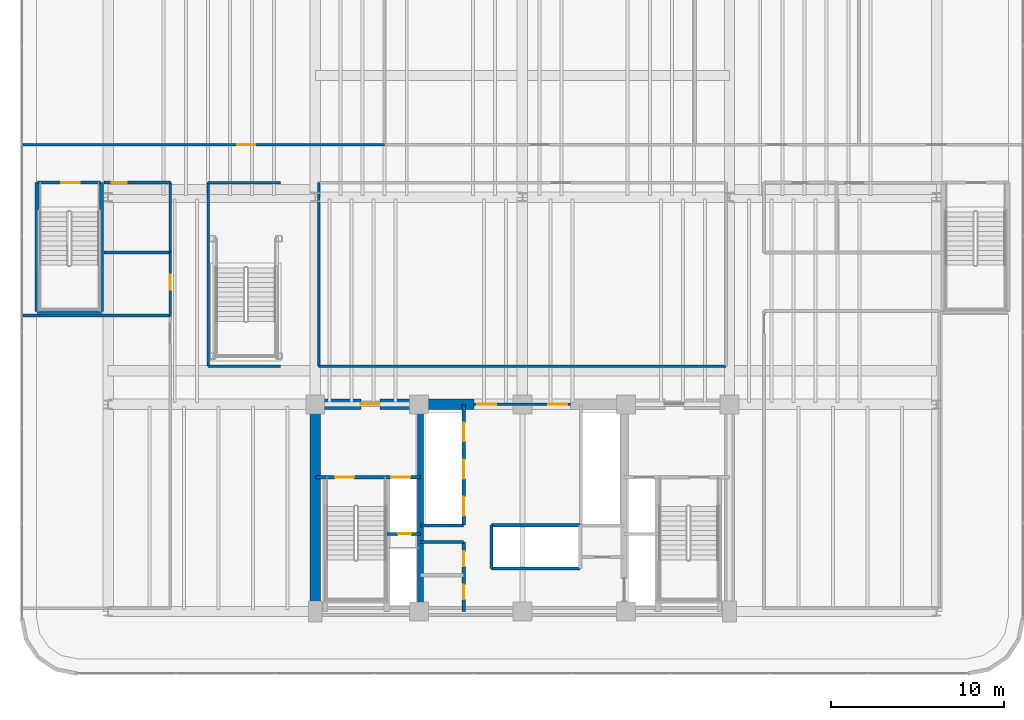
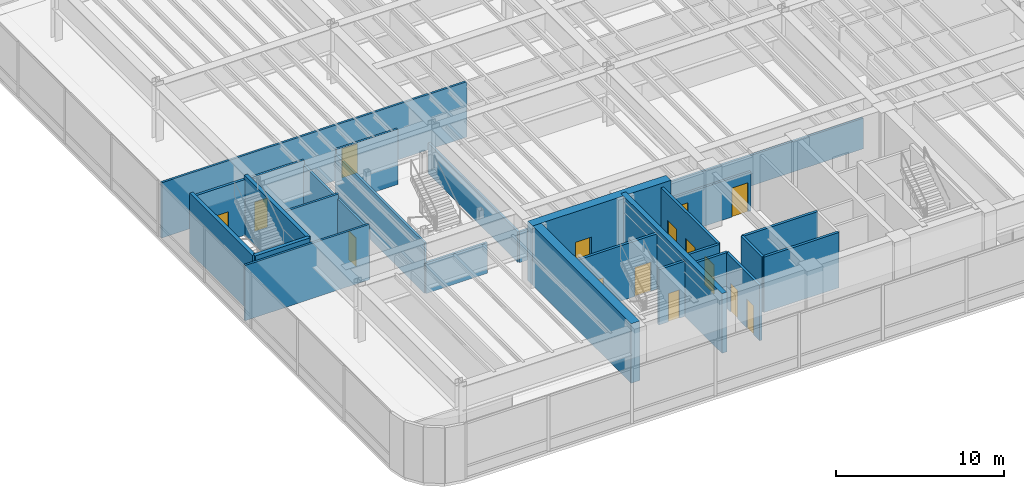
# One storey, part 13 of 19: 28 walls, 15 doors, 15 openings.
"""IFC4 building model written with IfcOpenShell, lengths in metres."""

from ifc_helpers import new_model, si_unit, direction, frame, frame_2d, origin, origin_2d, place, context, subcontext, project, spatial, rectangle, extrude, source, transform, mapped, material, layer, layer_set, type_object, element, fill, save


model = new_model("IFC4")

# Units and contexts
model_context = context("Model", 3, precision=1e-05, world=origin(), true_north=direction((0.0, 1.0)))
body_context = subcontext(model_context, "Body", "Model", "MODEL_VIEW")
ifc_project = project(units=[si_unit("LENGTHUNIT", "METRE"), si_unit("AREAUNIT", "SQUARE_METRE"), si_unit("VOLUMEUNIT", "CUBIC_METRE"), si_unit("PLANEANGLEUNIT", "RADIAN"), si_unit("MASSUNIT", "GRAM", prefix="KILO")], contexts=[model_context])

# Site, building, storey
site_placement = place(None, origin())
site = spatial("IfcSite", under=ifc_project, at=site_placement, CompositionType="ELEMENT")
building_placement = place(site_placement, origin())
building = spatial("IfcBuilding", under=site, at=building_placement, Name="Brelvock Crest Care Tower", CompositionType="ELEMENT")
storey_placement = place(building_placement, frame((0.0, 0.0, 18.360107421875)))
storey = spatial("IfcBuildingStorey", under=building, at=storey_placement, Name="L04", CompositionType="ELEMENT", Elevation=18.360107421875)

# Wall
ifc_material_1 = material(Name="Concrete S80 (80 MPa)", Category="concrete")
ifc_layer_1 = layer(ifc_material_1, 0.60009765625, Name="WL-CS1")
ifc_layer_set_1 = layer_set([ifc_layer_1], Name="Concrete S80 (80 MPa)")
wall_type_1 = type_object("IfcWallType", Name="WL-CS1", PredefinedType="SHEAR", material=ifc_layer_set_1)
wall_1_placement = place(storey_placement, frame((24.0, 6.0, 0.0), z_axis=(0.0, 0.0, 1.0), x_axis=(0.0, 1.0, 0.0)))
element("IfcWall", 1, at=wall_1_placement, inside=storey, type_object=wall_type_1, Name="L04 Core West Shear Wall", PredefinedType="SHEAR", context=body_context, shape_type="SweptSolid", body=[
    extrude(rectangle(XDim=12.0, YDim=0.60009765625, at=frame_2d((6.0, 0.0))), origin(), (0.0, 0.0, 1.0), 4.31982421875),
])

# Wall, opening, door
wall_2_placement = place(storey_placement, frame((23.699951171875, 18.0, 0.0), z_axis=(0.0, 0.0, 1.0), x_axis=(1.0, 0.0, 0.0)))
wall_2 = element("IfcWall", 2, at=wall_2_placement, inside=storey, type_object=wall_type_1, Name="L04 Core North-West Shear Wall", PredefinedType="SHEAR", context=body_context, shape_type="SweptSolid", body=[
    extrude(rectangle(XDim=9.5, YDim=0.60009765625, at=frame_2d((4.75, 0.0))), origin(), (0.0, 0.0, 1.0), 4.31982421875),
])
opening_1_placement = place(wall_2_placement, frame((2.949951171875, 0.0, 0.0)))
opening_1 = element("IfcOpeningElement", 3, at=opening_1_placement, cuts=wall_2, Name="Opening FD-1", PredefinedType="OPENING", context=body_context, shape_type="SweptSolid", body=[
    extrude(rectangle(XDim=1.10009765625, YDim=2.10009765625, at=origin_2d()), frame((0.550048828125, 0.31005859375, 1.050048828125), z_axis=(0.0, -1.0, 0.0), x_axis=(1.0, 0.0, 0.0)), (0.0, 0.0, 1.0), 0.6201171875),
])
ifc_material_2 = material(Name="Steel Grade 350", Category="steel")
door_type_1 = type_object("IfcDoorType", Name="DR-FFL1", OperationType="NOTDEFINED", PredefinedType="DOOR", material=ifc_material_2)
shared_shape_1 = source(origin(), body_context, "Body", "SweptSolid", [
    extrude(rectangle(XDim=1.10009765625, YDim=2.10009765625, at=origin_2d()), frame((0.550048828125, 0.02490234375, 1.050048828125), z_axis=(0.0, -1.0, 0.0), x_axis=(1.0, 0.0, 0.0)), (0.0, 0.0, 1.0), 0.050048828125),
])
door_1_placement = place(opening_1_placement, origin())
door_1 = element("IfcDoor", 4, at=door_1_placement, inside=storey, type_object=door_type_1, Name="L04 Firefighting Lobby FFL-1 Exit Door", OperationType="SINGLE_SWING_LEFT", OverallHeight=2.10009765625, OverallWidth=1.10009765625, PredefinedType="DOOR", context=body_context, shape_type="MappedRepresentation", body=[
    mapped(shared_shape_1, transform((0.0, 0.0, 0.0), x_axis=(1.0, 0.0, 0.0), y_axis=(0.0, 1.0, 0.0), z_axis=(0.0, 0.0, 1.0), scale=1.0)),
])
fill(opening_1, door_1)

# Walls
ifc_layer_2 = layer(ifc_material_1, 0.35009765625, Name="WL-CS5")
ifc_layer_set_2 = layer_set([ifc_layer_2], Name="Concrete S80 (80 MPa)")
wall_type_2 = type_object("IfcWallType", Name="WL-CS5", PredefinedType="SHEAR", material=ifc_layer_set_2)
wall_3_placement = place(storey_placement, frame((30.10009765625, 6.0, 0.0), z_axis=(0.0, 0.0, 1.0), x_axis=(0.0, 1.0, 0.0)))
element("IfcWall", 5, at=wall_3_placement, inside=storey, type_object=wall_type_2, Name="L04 Core Internal Web Wall West", PredefinedType="SHEAR", context=body_context, shape_type="SweptSolid", body=[
    extrude(rectangle(XDim=12.0, YDim=0.35009765625, at=frame_2d((6.0, 0.0))), origin(), (0.0, 0.0, 1.0), 4.31982421875),
])
ifc_layer_3 = layer(ifc_material_1, 0.25, Name="WL-CS6")
ifc_layer_set_3 = layer_set([ifc_layer_3], Name="Concrete S80 (80 MPa)")
wall_type_3 = type_object("IfcWallType", Name="WL-CS6", PredefinedType="SHEAR", material=ifc_layer_set_3)
wall_4_placement = place(storey_placement, frame((7.8798828125, 23.3798828125, 0.0), z_axis=(0.0, 0.0, 1.0), x_axis=(1.0, 0.0, 0.0)))
element("IfcWall", 6, at=wall_4_placement, inside=storey, type_object=wall_type_3, Name="L04 Podium Stair ST-3 South Shear Wall", PredefinedType="SHEAR", context=body_context, shape_type="SweptSolid", body=[
    extrude(rectangle(XDim=3.740234375, YDim=0.25, at=frame_2d((1.8701171875, 0.0))), origin(), (0.0, 0.0, 1.0), 4.31982421875),
])
for number, where, z_axis, x_axis, name in (
    (7, (7.8798828125, 23.3798828125, 0.0), (0.0, 0.0, 1.0), (0.0, 1.0, 0.0), "L04 Podium Stair ST-3 West Shear Wall"),
    (8, (11.6201171875, 23.3798828125, 0.0), (0.0, 0.0, 1.0), (0.0, 1.0, 0.0), "L04 Podium Stair ST-3 East Shear Wall"),
):
    element("IfcWall", number, at=place(storey_placement, frame(where, z_axis=z_axis, x_axis=x_axis)), inside=storey, type_object=wall_type_3, Name=name, PredefinedType="SHEAR", context=body_context, shape_type="SweptSolid", body=[
        extrude(rectangle(XDim=7.47021484375, YDim=0.25, at=frame_2d((3.735107421875, 0.0))), origin(), (0.0, 0.0, 1.0), 4.31982421875),
    ])

# Wall, openings, doors
ifc_material_3 = material(Name="Masonry Blockwork Acoustic Partition", Category="masonry")
ifc_layer_4 = layer(ifc_material_3, 0.14990234375, Name="WL-INT1")
ifc_layer_set_4 = layer_set([ifc_layer_4], Name="Masonry Blockwork Acoustic Partition")
wall_type_4 = type_object("IfcWallType", Name="WL-INT1", PredefinedType="PARTITIONING", material=ifc_layer_set_4)
wall_5_placement = place(storey_placement, frame((33.199951171875, 18.0, 0.0), z_axis=(0.0, 0.0, 1.0), x_axis=(1.0, 0.0, 0.0)))
wall_5 = element("IfcWall", 9, at=wall_5_placement, inside=storey, type_object=wall_type_4, Name="L04 Interior Wall WL-CORE-NPORT-L04", PredefinedType="PARTITIONING", context=body_context, shape_type="SweptSolid", body=[
    extrude(rectangle(XDim=5.60009765625, YDim=0.14990234375, at=frame_2d((2.800048828125, 0.0))), origin(), (0.0, 0.0, 1.0), 2.824951171875),
])
opening_2_placement = place(wall_5_placement, frame((0.18994140625, 0.0, 0.0)))
opening_2 = element("IfcOpeningElement", 10, at=opening_2_placement, cuts=wall_5, Name="Opening FD-1", PredefinedType="OPENING", context=body_context, shape_type="SweptSolid", body=[
    extrude(rectangle(XDim=1.10009765625, YDim=2.10009765625, at=origin_2d()), frame((0.550048828125, 0.0849609375, 1.050048828125), z_axis=(0.0, -1.0, 0.0), x_axis=(1.0, 0.0, 0.0)), (0.0, 0.0, 1.0), 0.169921875),
])
opening_3_placement = place(wall_5_placement, frame((4.31005859375, 0.0, 0.0)))
opening_3 = element("IfcOpeningElement", 11, at=opening_3_placement, cuts=wall_5, Name="Opening FD-1", PredefinedType="OPENING", context=body_context, shape_type="SweptSolid", body=[
    extrude(rectangle(XDim=1.10009765625, YDim=2.10009765625, at=origin_2d()), frame((0.550048828125, 0.0849609375, 1.050048828125), z_axis=(0.0, -1.0, 0.0), x_axis=(1.0, 0.0, 0.0)), (0.0, 0.0, 1.0), 0.169921875),
])
door_2_placement = place(opening_2_placement, origin())
door_2 = element("IfcDoor", 12, at=door_2_placement, inside=storey, type_object=door_type_1, Name="L04 Lift Lobby North Smoke Door West", OperationType="SINGLE_SWING_LEFT", OverallHeight=2.10009765625, OverallWidth=1.10009765625, PredefinedType="DOOR", context=body_context, shape_type="MappedRepresentation", body=[
    mapped(shared_shape_1, transform((0.0, 0.0, 0.0), x_axis=(1.0, 0.0, 0.0), y_axis=(0.0, 1.0, 0.0), z_axis=(0.0, 0.0, 1.0), scale=1.0)),
])
fill(opening_2, door_2)
door_3_placement = place(opening_3_placement, origin())
door_3 = element("IfcDoor", 13, at=door_3_placement, inside=storey, type_object=door_type_1, Name="L04 Lift Lobby North Smoke Door East", OperationType="SINGLE_SWING_RIGHT", OverallHeight=2.10009765625, OverallWidth=1.10009765625, PredefinedType="DOOR", context=body_context, shape_type="MappedRepresentation", body=[
    mapped(shared_shape_1, transform((0.0, 0.0, 0.0), x_axis=(1.0, 0.0, 0.0), y_axis=(0.0, 1.0, 0.0), z_axis=(0.0, 0.0, 1.0), scale=1.0)),
])
fill(opening_3, door_3)

# Walls
wall_6_placement = place(storey_placement, frame((17.800048828125, 20.219970703125, 0.0), z_axis=(0.0, 0.0, 1.0), x_axis=(1.0, 0.0, 0.0)))
element("IfcWall", 14, at=wall_6_placement, inside=storey, type_object=wall_type_4, Name="L04 Interior Wall WL-BX-L04-ATRM-S", PredefinedType="PARTITIONING", context=body_context, shape_type="SweptSolid", body=[
    extrude(rectangle(XDim=4.199951171875, YDim=0.14990234375, at=frame_2d((2.10009765625, 0.0))), origin(), (0.0, 0.0, 1.0), 2.224853515625),
])
wall_7_placement = place(storey_placement, frame((24.199951171875, 20.219970703125, 0.0), z_axis=(0.0, 0.0, 1.0), x_axis=(1.0, 0.0, 0.0)))
element("IfcWall", 15, at=wall_7_placement, inside=storey, type_object=wall_type_4, Name="L04 Interior Wall WL-BX-L04-DIN-S", PredefinedType="PARTITIONING", context=body_context, shape_type="SweptSolid", body=[
    extrude(rectangle(XDim=23.60009765625, YDim=0.14990234375, at=frame_2d((11.800048828125, 0.0))), origin(), (0.0, 0.0, 1.0), 2.224853515625),
])
wall_8_placement = place(storey_placement, frame((7.080078125, 23.14990234375, 0.0), z_axis=(0.0, 0.0, 1.0), x_axis=(1.0, 0.0, 0.0)))
element("IfcWall", 16, at=wall_8_placement, inside=storey, type_object=wall_type_4, Name="L04 Interior Wall WL-BX-L04-PLTW-N", PredefinedType="PARTITIONING", context=body_context, shape_type="SweptSolid", body=[
    extrude(rectangle(XDim=8.52001953125, YDim=0.14990234375, at=frame_2d((4.260009765625, 0.0))), origin(), (0.0, 0.0, 1.0), 4.010009765625),
])
wall_9_placement = place(storey_placement, frame((17.800048828125, 30.85009765625, 0.0), z_axis=(0.0, 0.0, 1.0), x_axis=(1.0, 0.0, 0.0)))
element("IfcWall", 17, at=wall_9_placement, inside=storey, type_object=wall_type_4, Name="L04 Interior Wall WL-BX-L04-ATRM-N", PredefinedType="PARTITIONING", context=body_context, shape_type="SweptSolid", body=[
    extrude(rectangle(XDim=4.199951171875, YDim=0.14990234375, at=frame_2d((2.10009765625, 0.0))), origin(), (0.0, 0.0, 1.0), 4.010009765625),
])

# Wall, opening, door
wall_10_placement = place(storey_placement, frame((7.080078125, 33.050048828125, 0.0), z_axis=(0.0, 0.0, 1.0), x_axis=(1.0, 0.0, 0.0)))
wall_10 = element("IfcWall", 18, at=wall_10_placement, inside=storey, type_object=wall_type_4, Name="L04 Interior Wall WL-RM-L04-HYD", PredefinedType="PARTITIONING", context=body_context, shape_type="SweptSolid", body=[
    extrude(rectangle(XDim=20.919921875, YDim=0.14990234375, at=frame_2d((10.4599609375, 0.0))), origin(), (0.0, 0.0, 1.0), 4.010009765625),
])
opening_4_placement = place(wall_10_placement, frame((12.39501953125, 0.0, 0.0)))
opening_4 = element("IfcOpeningElement", 19, at=opening_4_placement, cuts=wall_10, Name="Opening CLD-1", PredefinedType="OPENING", context=body_context, shape_type="SweptSolid", body=[
    extrude(rectangle(XDim=1.050048828125, YDim=2.10009765625, at=origin_2d()), frame((0.52490234375, 0.0849609375, 1.050048828125), z_axis=(0.0, -1.0, 0.0), x_axis=(1.0, 0.0, 0.0)), (0.0, 0.0, 1.0), 0.169921875),
])
ifc_material_4 = material(Name="Engineered Hardwood Timber", Category="wood")
door_type_2 = type_object("IfcDoorType", Name="DR-CLN1", OperationType="NOTDEFINED", PredefinedType="DOOR", material=ifc_material_4)
shared_shape_2 = source(origin(), body_context, "Body", "SweptSolid", [
    extrude(rectangle(XDim=1.050048828125, YDim=2.10009765625, at=origin_2d()), frame((0.52490234375, 0.02490234375, 1.050048828125), z_axis=(0.0, -1.0, 0.0), x_axis=(1.0, 0.0, 0.0)), (0.0, 0.0, 1.0), 0.050048828125),
])
door_4_placement = place(opening_4_placement, origin())
door_4 = element("IfcDoor", 20, at=door_4_placement, inside=storey, type_object=door_type_2, Name="L04 Warm-Water Hydrotherapy Hall Door HYD", OperationType="SINGLE_SWING_LEFT", OverallHeight=2.10009765625, OverallWidth=1.050048828125, PredefinedType="DOOR", context=body_context, shape_type="MappedRepresentation", body=[
    mapped(shared_shape_2, transform((0.0, 0.0, 0.0), x_axis=(1.0, 0.0, 0.0), y_axis=(0.0, 1.0, 0.0), z_axis=(0.0, 0.0, 1.0), scale=1.0)),
])
fill(opening_4, door_4)

wall_11_placement = place(storey_placement, frame((15.60009765625, 23.14990234375, 0.0), z_axis=(0.0, 0.0, 1.0), x_axis=(0.0, 1.0, 0.0)))
wall_11 = element("IfcWall", 21, at=wall_11_placement, inside=storey, type_object=wall_type_4, Name="L04 Interior Wall WL-RM-L04-HLIN", PredefinedType="PARTITIONING", context=body_context, shape_type="SweptSolid", body=[
    extrude(rectangle(XDim=3.650146484375, YDim=0.14990234375, at=frame_2d((1.8251953125, 0.0))), origin(), (0.0, 0.0, 1.0), 3.665771484375),
])
opening_5_placement = place(wall_11_placement, frame((1.489990234375, 0.0, 0.0)))
opening_5 = element("IfcOpeningElement", 22, at=opening_5_placement, cuts=wall_11, Name="Opening ID-1", PredefinedType="OPENING", context=body_context, shape_type="SweptSolid", body=[
    extrude(rectangle(XDim=0.860107421875, YDim=2.10009765625, at=origin_2d()), frame((0.43017578125, 0.0849609375, 1.050048828125), z_axis=(0.0, -1.0, 0.0), x_axis=(1.0, 0.0, 0.0)), (0.0, 0.0, 1.0), 0.169921875),
])
door_type_3 = type_object("IfcDoorType", Name="DR-INT1", OperationType="NOTDEFINED", PredefinedType="DOOR", material=ifc_material_4)
shared_shape_3 = source(origin(), body_context, "Body", "SweptSolid", [
    extrude(rectangle(XDim=0.860107421875, YDim=2.10009765625, at=origin_2d()), frame((0.43017578125, 0.02490234375, 1.050048828125), z_axis=(0.0, -1.0, 0.0), x_axis=(1.0, 0.0, 0.0)), (0.0, 0.0, 1.0), 0.050048828125),
])
door_5_placement = place(opening_5_placement, origin())
door_5 = element("IfcDoor", 23, at=door_5_placement, inside=storey, type_object=door_type_3, Name="L04 Hydrotherapy Towel and Linen Store Door HLIN", OperationType="SINGLE_SWING_LEFT", OverallHeight=2.10009765625, OverallWidth=0.860107421875, PredefinedType="DOOR", context=body_context, shape_type="MappedRepresentation", body=[
    mapped(shared_shape_3, transform((0.0, 0.0, 0.0), x_axis=(1.0, 0.0, 0.0), y_axis=(0.0, 1.0, 0.0), z_axis=(0.0, 0.0, 1.0), scale=1.0)),
])
fill(opening_5, door_5)

# Walls
wall_12_placement = place(storey_placement, frame((17.800048828125, 20.219970703125, 0.0), z_axis=(0.0, 0.0, 1.0), x_axis=(0.0, 1.0, 0.0)))
element("IfcWall", 24, at=wall_12_placement, inside=storey, type_object=wall_type_4, Name="L04 Interior Wall WL-BX-L04-ATRM-W", PredefinedType="PARTITIONING", context=body_context, shape_type="SweptSolid", body=[
    extrude(rectangle(XDim=10.630126953125, YDim=0.14990234375, at=frame_2d((5.31494140625, 0.0))), origin(), (0.0, 0.0, 1.0), 3.665771484375),
])
wall_13_placement = place(storey_placement, frame((24.199951171875, 20.219970703125, 0.0), z_axis=(0.0, 0.0, 1.0), x_axis=(0.0, 1.0, 0.0)))
element("IfcWall", 25, at=wall_13_placement, inside=storey, type_object=wall_type_4, Name="L04 Interior Wall WL-BX-L04-DIN-W", PredefinedType="PARTITIONING", context=body_context, shape_type="SweptSolid", body=[
    extrude(rectangle(XDim=10.630126953125, YDim=0.14990234375, at=frame_2d((5.31494140625, 0.0))), origin(), (0.0, 0.0, 1.0), 2.224853515625),
])
ifc_material_5 = material(Name="Gypsum Plasterboard Partition", Category="gypsum")
ifc_layer_5 = layer(ifc_material_5, 0.159912109375, Name="WL-PLM1")
ifc_layer_set_5 = layer_set([ifc_layer_5], Name="Gypsum Plasterboard Partition")
wall_type_5 = type_object("IfcWallType", Name="WL-PLM1", PredefinedType="PLUMBINGWALL", material=ifc_layer_set_5)
wall_14_placement = place(storey_placement, frame((11.75, 26.800048828125, 0.0), z_axis=(0.0, 0.0, 1.0), x_axis=(1.0, 0.0, 0.0)))
element("IfcWall", 26, at=wall_14_placement, inside=storey, type_object=wall_type_5, Name="L04 Interior Wall WL-BX-L04-CHG-S", PredefinedType="PLUMBINGWALL", context=body_context, shape_type="SweptSolid", body=[
    extrude(rectangle(XDim=3.85009765625, YDim=0.159912109375, at=frame_2d((1.925048828125, 0.0))), origin(), (0.0, 0.0, 1.0), 4.010009765625),
])

# Wall, opening, door
wall_15_placement = place(storey_placement, frame((11.75, 30.85009765625, 0.0), z_axis=(0.0, 0.0, 1.0), x_axis=(1.0, 0.0, 0.0)))
wall_15 = element("IfcWall", 27, at=wall_15_placement, inside=storey, type_object=wall_type_5, Name="L04 Interior Wall WL-RM-L04-CHG", PredefinedType="PLUMBINGWALL", context=body_context, shape_type="SweptSolid", body=[
    extrude(rectangle(XDim=3.85009765625, YDim=0.159912109375, at=frame_2d((1.925048828125, 0.0))), origin(), (0.0, 0.0, 1.0), 4.010009765625),
])
opening_6_placement = place(wall_15_placement, frame((0.4599609375, 0.0, 0.0)))
opening_6 = element("IfcOpeningElement", 28, at=opening_6_placement, cuts=wall_15, Name="Opening WD-1", PredefinedType="OPENING", context=body_context, shape_type="SweptSolid", body=[
    extrude(rectangle(XDim=0.860107421875, YDim=2.10009765625, at=origin_2d()), frame((0.43017578125, 0.08984375, 1.050048828125), z_axis=(0.0, -1.0, 0.0), x_axis=(1.0, 0.0, 0.0)), (0.0, 0.0, 1.0), 0.179931640625),
])
door_type_4 = type_object("IfcDoorType", Name="DR-WC1", OperationType="NOTDEFINED", PredefinedType="DOOR", material=ifc_material_4)
shared_shape_4 = source(origin(), body_context, "Body", "SweptSolid", [
    extrude(rectangle(XDim=0.860107421875, YDim=2.10009765625, at=origin_2d()), frame((0.43017578125, 0.02490234375, 1.050048828125), z_axis=(0.0, -1.0, 0.0), x_axis=(1.0, 0.0, 0.0)), (0.0, 0.0, 1.0), 0.050048828125),
])
door_6_placement = place(opening_6_placement, origin())
door_6 = element("IfcDoor", 29, at=door_6_placement, inside=storey, type_object=door_type_4, Name="L04 Accessible Hydro Change WC Door CHG", OperationType="SINGLE_SWING_LEFT", OverallHeight=2.10009765625, OverallWidth=0.860107421875, PredefinedType="DOOR", context=body_context, shape_type="MappedRepresentation", body=[
    mapped(shared_shape_4, transform((0.0, 0.0, 0.0), x_axis=(1.0, 0.0, 0.0), y_axis=(0.0, 1.0, 0.0), z_axis=(0.0, 0.0, 1.0), scale=1.0)),
])
fill(opening_6, door_6)

# Wall
wall_16_placement = place(storey_placement, frame((15.60009765625, 26.800048828125, 0.0), z_axis=(0.0, 0.0, 1.0), x_axis=(0.0, 1.0, 0.0)))
element("IfcWall", 30, at=wall_16_placement, inside=storey, type_object=wall_type_5, Name="L04 Interior Wall WL-BX-L04-CHG-E", PredefinedType="PLUMBINGWALL", context=body_context, shape_type="SweptSolid", body=[
    extrude(rectangle(XDim=4.050048828125, YDim=0.159912109375, at=frame_2d((2.02490234375, 0.0))), origin(), (0.0, 0.0, 1.0), 3.665771484375),
])

# Wall, opening, door
ifc_layer_6 = layer(ifc_material_3, 0.179931640625, Name="WL-SHF1")
ifc_layer_set_6 = layer_set([ifc_layer_6], Name="Masonry Blockwork Acoustic Partition")
wall_type_6 = type_object("IfcWallType", Name="WL-SHF1", PredefinedType="PARTITIONING", material=ifc_layer_set_6)
wall_17_placement = place(storey_placement, frame((7.919921875, 30.85009765625, 0.0), z_axis=(0.0, 0.0, 1.0), x_axis=(1.0, 0.0, 0.0)))
wall_17 = element("IfcWall", 31, at=wall_17_placement, inside=storey, type_object=wall_type_6, Name="L04 Interior Wall WL-ST3-N-L04", PredefinedType="PARTITIONING", context=body_context, shape_type="SweptSolid", body=[
    extrude(rectangle(XDim=3.630126953125, YDim=0.179931640625, at=frame_2d((1.81494140625, 0.0))), origin(), (0.0, 0.0, 1.0), 4.039794921875),
])
opening_7_placement = place(wall_17_placement, frame((1.35009765625, 0.0, 0.0)))
opening_7 = element("IfcOpeningElement", 32, at=opening_7_placement, cuts=wall_17, Name="Opening SD-1", PredefinedType="OPENING", context=body_context, shape_type="SweptSolid", body=[
    extrude(rectangle(XDim=1.10009765625, YDim=2.10009765625, at=origin_2d()), frame((0.550048828125, 0.10009765625, 1.050048828125), z_axis=(0.0, -1.0, 0.0), x_axis=(1.0, 0.0, 0.0)), (0.0, 0.0, 1.0), 0.199951171875),
])
door_type_5 = type_object("IfcDoorType", Name="DR-ST1", OperationType="NOTDEFINED", PredefinedType="DOOR", material=ifc_material_2)
shared_shape_5 = source(origin(), body_context, "Body", "SweptSolid", [
    extrude(rectangle(XDim=1.10009765625, YDim=2.10009765625, at=origin_2d()), frame((0.550048828125, 0.02490234375, 1.050048828125), z_axis=(0.0, -1.0, 0.0), x_axis=(1.0, 0.0, 0.0)), (0.0, 0.0, 1.0), 0.050048828125),
])
door_7_placement = place(opening_7_placement, origin())
door_7 = element("IfcDoor", 33, at=door_7_placement, inside=storey, type_object=door_type_5, Name="L04 Podium Stair ST-3 Door", OperationType="SINGLE_SWING_LEFT", OverallHeight=2.10009765625, OverallWidth=1.10009765625, PredefinedType="DOOR", context=body_context, shape_type="MappedRepresentation", body=[
    mapped(shared_shape_5, transform((0.0, 0.0, 0.0), x_axis=(1.0, 0.0, 0.0), y_axis=(0.0, 1.0, 0.0), z_axis=(0.0, 0.0, 1.0), scale=1.0)),
])
fill(opening_7, door_7)

# Walls
for number, where, z_axis, x_axis, name in (
    (34, (34.199951171875, 11.0, 0.0), (0.0, 0.0, 1.0), (1.0, 0.0, 0.0), "L04 Interior Wall WL-PLM-SHF-L04"),
    (35, (34.199951171875, 8.5, 0.0), (0.0, 0.0, 1.0), (1.0, 0.0, 0.0), "L04 Interior Wall WL-PLM-S-L04"),
):
    element("IfcWall", number, at=place(storey_placement, frame(where, z_axis=z_axis, x_axis=x_axis)), inside=storey, type_object=wall_type_6, Name=name, PredefinedType="PARTITIONING", context=body_context, shape_type="SweptSolid", body=[
        extrude(rectangle(XDim=5.150146484375, YDim=0.179931640625, at=frame_2d((2.5751953125, 0.0))), origin(), (0.0, 0.0, 1.0), 4.010009765625),
    ])
for number, where, z_axis, x_axis, name in (
    (36, (34.199951171875, 8.5, 0.0), (0.0, 0.0, 1.0), (0.0, 1.0, 0.0), "L04 Interior Wall WL-PLM-W-L04"),
    (37, (30.10009765625, 10.97998046875, 0.0), (0.0, 0.0, 1.0), (1.0, 0.0, 0.0), "L04 Interior Wall WL-CSBW-N-L04"),
    (38, (30.10009765625, 10.02001953125, 0.0), (0.0, 0.0, 1.0), (1.0, 0.0, 0.0), "L04 Interior Wall WL-CSBW-N2-L04"),
):
    element("IfcWall", number, at=place(storey_placement, frame(where, z_axis=z_axis, x_axis=x_axis)), inside=storey, type_object=wall_type_6, Name=name, PredefinedType="PARTITIONING", context=body_context, shape_type="SweptSolid", body=[
        extrude(rectangle(XDim=2.5, YDim=0.179931640625, at=frame_2d((1.25, 0.0))), origin(), (0.0, 0.0, 1.0), 4.010009765625),
    ])

# Wall, openings, doors
wall_18_placement = place(storey_placement, frame((32.60009765625, 6.0, 0.0), z_axis=(0.0, 0.0, 1.0), x_axis=(0.0, 1.0, 0.0)))
wall_18 = element("IfcWall", 39, at=wall_18_placement, inside=storey, type_object=wall_type_6, Name="L04 Interior Wall WL-CSBW-E-L04", PredefinedType="PARTITIONING", context=body_context, shape_type="SweptSolid", body=[
    extrude(rectangle(XDim=4.02001953125, YDim=0.179931640625, at=frame_2d((2.010009765625, 0.0))), origin(), (0.0, 0.0, 1.0), 4.010009765625),
])
opening_8_placement = place(wall_18_placement, frame((0.699951171875, 0.0, 0.0)))
opening_8 = element("IfcOpeningElement", 40, at=opening_8_placement, cuts=wall_18, Name="Opening ID-1", PredefinedType="OPENING", context=body_context, shape_type="SweptSolid", body=[
    extrude(rectangle(XDim=0.860107421875, YDim=2.10009765625, at=origin_2d()), frame((0.43017578125, 0.10009765625, 1.050048828125), z_axis=(0.0, -1.0, 0.0), x_axis=(1.0, 0.0, 0.0)), (0.0, 0.0, 1.0), 0.199951171875),
])
opening_9_placement = place(wall_18_placement, frame((2.6201171875, 0.0, 0.0)))
opening_9 = element("IfcOpeningElement", 41, at=opening_9_placement, cuts=wall_18, Name="Opening ID-1", PredefinedType="OPENING", context=body_context, shape_type="SweptSolid", body=[
    extrude(rectangle(XDim=0.860107421875, YDim=2.10009765625, at=origin_2d()), frame((0.43017578125, 0.10009765625, 1.050048828125), z_axis=(0.0, -1.0, 0.0), x_axis=(1.0, 0.0, 0.0)), (0.0, 0.0, 1.0), 0.199951171875),
])
door_8_placement = place(opening_8_placement, origin())
door_8 = element("IfcDoor", 42, at=door_8_placement, inside=storey, type_object=door_type_3, Name="DR-CSBW1-L04", OperationType="SINGLE_SWING_LEFT", OverallHeight=2.10009765625, OverallWidth=0.860107421875, PredefinedType="DOOR", context=body_context, shape_type="MappedRepresentation", body=[
    mapped(shared_shape_3, transform((0.0, 0.0, 0.0), x_axis=(1.0, 0.0, 0.0), y_axis=(0.0, 1.0, 0.0), z_axis=(0.0, 0.0, 1.0), scale=1.0)),
])
fill(opening_8, door_8)
door_9_placement = place(opening_9_placement, origin())
door_9 = element("IfcDoor", 43, at=door_9_placement, inside=storey, type_object=door_type_3, Name="DR-CSBW2-L04", OperationType="SINGLE_SWING_RIGHT", OverallHeight=2.10009765625, OverallWidth=0.860107421875, PredefinedType="DOOR", context=body_context, shape_type="MappedRepresentation", body=[
    mapped(shared_shape_3, transform((0.0, 0.0, 0.0), x_axis=(1.0, 0.0, 0.0), y_axis=(0.0, 1.0, 0.0), z_axis=(0.0, 0.0, 1.0), scale=1.0)),
])
fill(opening_9, door_9)

wall_19_placement = place(storey_placement, frame((24.0, 13.780029296875, 0.0), z_axis=(0.0, 0.0, 1.0), x_axis=(1.0, 0.0, 0.0)))
wall_19 = element("IfcWall", 44, at=wall_19_placement, inside=storey, type_object=wall_type_6, Name="L04 Interior Wall WL-ST1-N-L04", PredefinedType="PARTITIONING", context=body_context, shape_type="SweptSolid", body=[
    extrude(rectangle(XDim=6.10009765625, YDim=0.179931640625, at=frame_2d((3.050048828125, 0.0))), origin(), (0.0, 0.0, 1.0), 4.010009765625),
])
opening_10_placement = place(wall_19_placement, frame((1.14990234375, 0.0, 0.0)))
opening_10 = element("IfcOpeningElement", 45, at=opening_10_placement, cuts=wall_19, Name="Opening SD-1", PredefinedType="OPENING", context=body_context, shape_type="SweptSolid", body=[
    extrude(rectangle(XDim=1.10009765625, YDim=2.10009765625, at=origin_2d()), frame((0.550048828125, 0.10009765625, 1.050048828125), z_axis=(0.0, -1.0, 0.0), x_axis=(1.0, 0.0, 0.0)), (0.0, 0.0, 1.0), 0.199951171875),
])
opening_11_placement = place(wall_19_placement, frame((4.39990234375, 0.0, 0.0)))
opening_11 = element("IfcOpeningElement", 46, at=opening_11_placement, cuts=wall_19, Name="Opening LD", PredefinedType="OPENING", context=body_context, shape_type="SweptSolid", body=[
    extrude(rectangle(XDim=1.10009765625, YDim=2.10009765625, at=origin_2d()), frame((0.550048828125, 0.10009765625, 1.050048828125), z_axis=(0.0, -1.0, 0.0), x_axis=(1.0, 0.0, 0.0)), (0.0, 0.0, 1.0), 0.199951171875),
])
door_10_placement = place(opening_10_placement, origin())
door_10 = element("IfcDoor", 47, at=door_10_placement, inside=storey, type_object=door_type_5, Name="L04 Fire Stair ST-1 Door", OperationType="SINGLE_SWING_LEFT", OverallHeight=2.10009765625, OverallWidth=1.10009765625, PredefinedType="DOOR", context=body_context, shape_type="MappedRepresentation", body=[
    mapped(shared_shape_5, transform((0.0, 0.0, 0.0), x_axis=(1.0, 0.0, 0.0), y_axis=(0.0, 1.0, 0.0), z_axis=(0.0, 0.0, 1.0), scale=1.0)),
])
fill(opening_10, door_10)
door_type_6 = type_object("IfcDoorType", Name="DR-LD1", OperationType="NOTDEFINED", PredefinedType="DOOR", material=ifc_material_2)
shared_shape_6 = source(origin(), body_context, "Body", "SweptSolid", [
    extrude(rectangle(XDim=1.10009765625, YDim=2.10009765625, at=origin_2d()), frame((0.550048828125, 0.02490234375, 1.050048828125), z_axis=(0.0, -1.0, 0.0), x_axis=(1.0, 0.0, 0.0)), (0.0, 0.0, 1.0), 0.050048828125),
])
door_11_placement = place(opening_11_placement, origin())
door_11 = element("IfcDoor", 48, at=door_11_placement, inside=storey, type_object=door_type_6, Name="L04 Firefighting Lift FFL-1 Landing Door", OperationType="SLIDING_TO_LEFT", OverallHeight=2.10009765625, OverallWidth=1.10009765625, PredefinedType="DOOR", context=body_context, shape_type="MappedRepresentation", body=[
    mapped(shared_shape_6, transform((0.0, 0.0, 0.0), x_axis=(1.0, 0.0, 0.0), y_axis=(0.0, 1.0, 0.0), z_axis=(0.0, 0.0, 1.0), scale=1.0)),
])
fill(opening_11, door_11)

# Wall, opening, door
wall_20_placement = place(storey_placement, frame((28.14990234375, 10.5, 0.0), z_axis=(0.0, 0.0, 1.0), x_axis=(1.0, 0.0, 0.0)))
wall_20 = element("IfcWall", 49, at=wall_20_placement, inside=storey, type_object=wall_type_6, Name="L04 Interior Wall WL-FFH1-S-L04", PredefinedType="PARTITIONING", context=body_context, shape_type="SweptSolid", body=[
    extrude(rectangle(XDim=1.9501953125, YDim=0.179931640625, at=frame_2d((0.97509765625, 0.0))), origin(), (0.0, 0.0, 1.0), 4.010009765625),
])
opening_12_placement = place(wall_20_placement, frame((0.64990234375, 0.0, 0.0)))
opening_12 = element("IfcOpeningElement", 50, at=opening_12_placement, cuts=wall_20, Name="Opening RD-1", PredefinedType="OPENING", context=body_context, shape_type="SweptSolid", body=[
    extrude(rectangle(XDim=0.760009765625, YDim=2.050048828125, at=origin_2d()), frame((0.3798828125, 0.10009765625, 1.02490234375), z_axis=(0.0, -1.0, 0.0), x_axis=(1.0, 0.0, 0.0)), (0.0, 0.0, 1.0), 0.199951171875),
])
door_type_7 = type_object("IfcDoorType", Name="DR-RIS1", OperationType="NOTDEFINED", PredefinedType="DOOR", material=ifc_material_2)
shared_shape_7 = source(origin(), body_context, "Body", "SweptSolid", [
    extrude(rectangle(XDim=0.760009765625, YDim=2.050048828125, at=origin_2d()), frame((0.3798828125, 0.02490234375, 1.02490234375), z_axis=(0.0, -1.0, 0.0), x_axis=(1.0, 0.0, 0.0)), (0.0, 0.0, 1.0), 0.050048828125),
])
door_12_placement = place(opening_12_placement, origin())
door_12 = element("IfcDoor", 51, at=door_12_placement, inside=storey, type_object=door_type_7, Name="L04 Wet Fire Riser Access Door", OperationType="SINGLE_SWING_LEFT", OverallHeight=2.050048828125, OverallWidth=0.760009765625, PredefinedType="DOOR", context=body_context, shape_type="MappedRepresentation", body=[
    mapped(shared_shape_7, transform((0.0, 0.0, 0.0), x_axis=(1.0, 0.0, 0.0), y_axis=(0.0, 1.0, 0.0), z_axis=(0.0, 0.0, 1.0), scale=1.0)),
])
fill(opening_12, door_12)

# Wall, openings, doors
wall_21_placement = place(storey_placement, frame((32.60009765625, 11.0, 0.0), z_axis=(0.0, 0.0, 1.0), x_axis=(0.0, 1.0, 0.0)))
wall_21 = element("IfcWall", 52, at=wall_21_placement, inside=storey, type_object=wall_type_6, Name="L04 Interior Wall WL-PLL-BANK-L04", PredefinedType="PARTITIONING", context=body_context, shape_type="SweptSolid", body=[
    extrude(rectangle(XDim=7.0, YDim=0.179931640625, at=frame_2d((3.5, 0.0))), origin(), (0.0, 0.0, 1.0), 4.010009765625),
])
opening_13_placement = place(wall_21_placement, frame((0.550048828125, 0.0, 0.0)))
opening_13 = element("IfcOpeningElement", 53, at=opening_13_placement, cuts=wall_21, Name="Opening LD", PredefinedType="OPENING", context=body_context, shape_type="SweptSolid", body=[
    extrude(rectangle(XDim=1.10009765625, YDim=2.10009765625, at=origin_2d()), frame((0.550048828125, 0.10009765625, 1.050048828125), z_axis=(0.0, -1.0, 0.0), x_axis=(1.0, 0.0, 0.0)), (0.0, 0.0, 1.0), 0.199951171875),
])
opening_14_placement = place(wall_21_placement, frame((2.699951171875, 0.0, 0.0)))
opening_14 = element("IfcOpeningElement", 54, at=opening_14_placement, cuts=wall_21, Name="Opening LD", PredefinedType="OPENING", context=body_context, shape_type="SweptSolid", body=[
    extrude(rectangle(XDim=1.10009765625, YDim=2.10009765625, at=origin_2d()), frame((0.550048828125, 0.10009765625, 1.050048828125), z_axis=(0.0, -1.0, 0.0), x_axis=(1.0, 0.0, 0.0)), (0.0, 0.0, 1.0), 0.199951171875),
])
opening_15_placement = place(wall_21_placement, frame((4.85009765625, 0.0, 0.0)))
opening_15 = element("IfcOpeningElement", 55, at=opening_15_placement, cuts=wall_21, Name="Opening LD", PredefinedType="OPENING", context=body_context, shape_type="SweptSolid", body=[
    extrude(rectangle(XDim=1.10009765625, YDim=2.10009765625, at=origin_2d()), frame((0.550048828125, 0.10009765625, 1.050048828125), z_axis=(0.0, -1.0, 0.0), x_axis=(1.0, 0.0, 0.0)), (0.0, 0.0, 1.0), 0.199951171875),
])
door_13_placement = place(opening_13_placement, origin())
door_13 = element("IfcDoor", 56, at=door_13_placement, inside=storey, type_object=door_type_6, Name="L04 Lift PL-L1 Landing Door", OperationType="SLIDING_TO_LEFT", OverallHeight=2.10009765625, OverallWidth=1.10009765625, PredefinedType="DOOR", context=body_context, shape_type="MappedRepresentation", body=[
    mapped(shared_shape_6, transform((0.0, 0.0, 0.0), x_axis=(1.0, 0.0, 0.0), y_axis=(0.0, 1.0, 0.0), z_axis=(0.0, 0.0, 1.0), scale=1.0)),
])
fill(opening_13, door_13)
door_14_placement = place(opening_14_placement, origin())
door_14 = element("IfcDoor", 57, at=door_14_placement, inside=storey, type_object=door_type_6, Name="L04 Lift PL-L2 Landing Door", OperationType="SLIDING_TO_LEFT", OverallHeight=2.10009765625, OverallWidth=1.10009765625, PredefinedType="DOOR", context=body_context, shape_type="MappedRepresentation", body=[
    mapped(shared_shape_6, transform((0.0, 0.0, 0.0), x_axis=(1.0, 0.0, 0.0), y_axis=(0.0, 1.0, 0.0), z_axis=(0.0, 0.0, 1.0), scale=1.0)),
])
fill(opening_14, door_14)
door_15_placement = place(opening_15_placement, origin())
door_15 = element("IfcDoor", 58, at=door_15_placement, inside=storey, type_object=door_type_6, Name="L04 Lift PL-L3 Landing Door", OperationType="SLIDING_TO_LEFT", OverallHeight=2.10009765625, OverallWidth=1.10009765625, PredefinedType="DOOR", context=body_context, shape_type="MappedRepresentation", body=[
    mapped(shared_shape_6, transform((0.0, 0.0, 0.0), x_axis=(1.0, 0.0, 0.0), y_axis=(0.0, 1.0, 0.0), z_axis=(0.0, 0.0, 1.0), scale=1.0)),
])
fill(opening_15, door_15)

save(model, "model.ifc")
